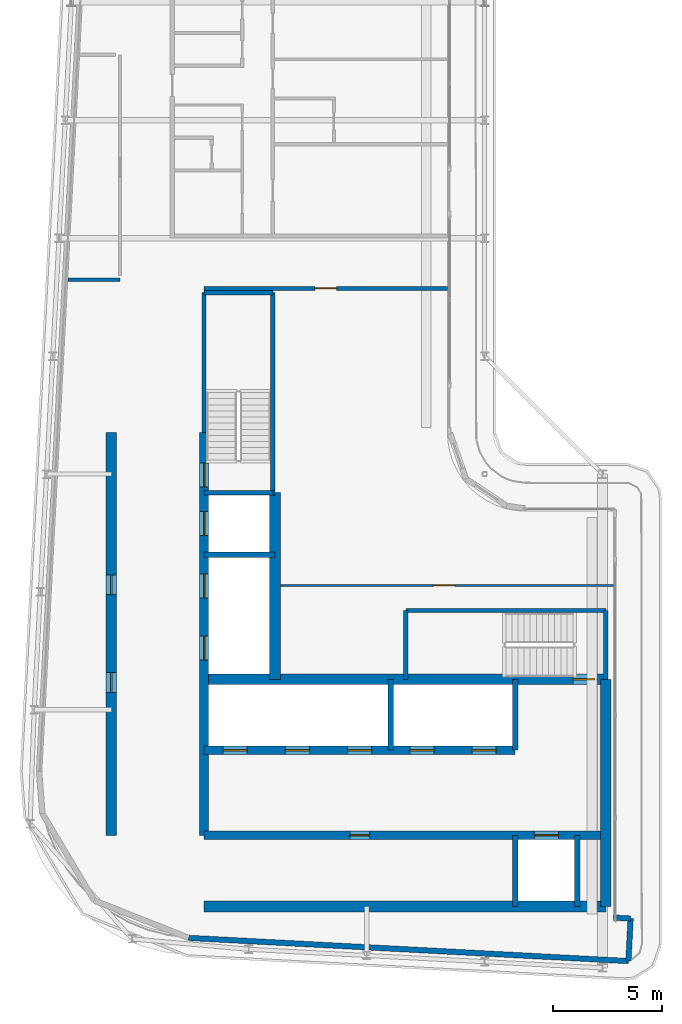
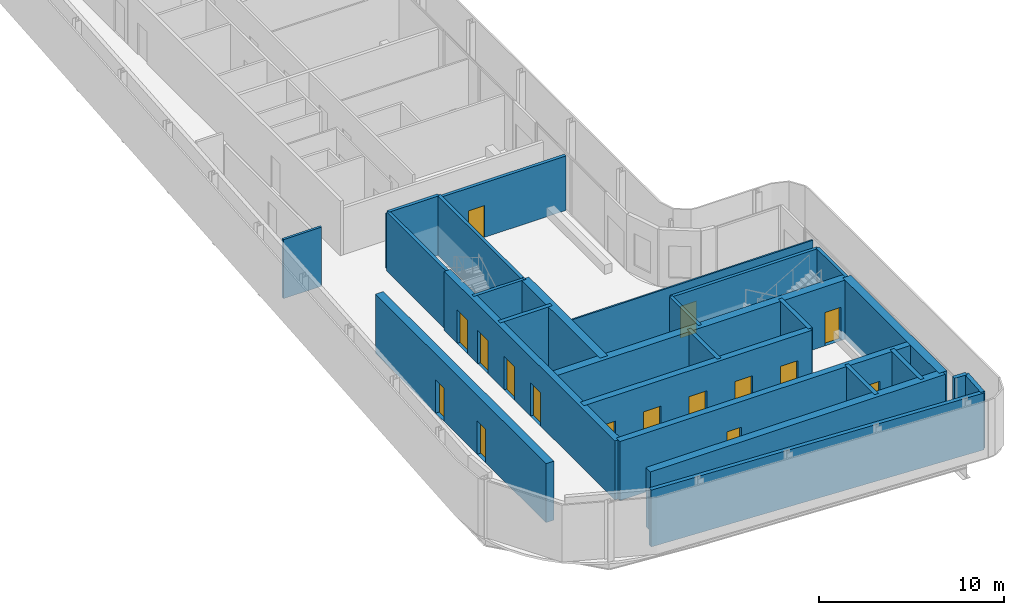
# One storey, part 9 of 17: 27 walls, 16 doors, 16 openings.
"""IFC4 building model written with IfcOpenShell, lengths in metres."""

from ifc_helpers import new_model, si_unit, direction, frame, frame_2d, origin, place, context, subcontext, project, spatial, rectangle, extrude, source, transform, mapped, material, layer, layer_set, type_object, element, fill, save


model = new_model("IFC4")

# Units and contexts
model_context = context("Model", 3, precision=1e-05, world=origin(), true_north=direction((0.0, 1.0)))
body_context = subcontext(model_context, "Body", "Model", "MODEL_VIEW")
ifc_project = project(units=[si_unit("LENGTHUNIT", "METRE"), si_unit("AREAUNIT", "SQUARE_METRE"), si_unit("VOLUMEUNIT", "CUBIC_METRE"), si_unit("PLANEANGLEUNIT", "RADIAN"), si_unit("MASSUNIT", "GRAM", prefix="KILO")], contexts=[model_context])

# Site, building, storey
site_placement = place(None, origin())
site = spatial("IfcSite", under=ifc_project, at=site_placement, CompositionType="ELEMENT")
building_placement = place(site_placement, origin())
building = spatial("IfcBuilding", under=site, at=building_placement, Name="Kheshtan School and Residences Tower", CompositionType="ELEMENT")
storey_placement = place(building_placement, frame((0.0, 0.0, 346.10009765625)))
storey = spatial("IfcBuildingStorey", under=building, at=storey_placement, Name="L81", CompositionType="ELEMENT", Elevation=346.10009765625)

# Wall, openings, doors
ifc_material_1 = material(Name="Concrete C50/60", Category="concrete")
ifc_layer_1 = layer(ifc_material_1, 0.39990234375)
ifc_layer_set_1 = layer_set([ifc_layer_1], Name="Core wall 400 Concrete C50/60")
wall_type_1 = type_object("IfcWallType", Name="Core wall 400 Concrete C50/60", PredefinedType="SHEAR", material=ifc_layer_set_1)
wall_1_placement = place(storey_placement, frame((34.75, 29.050048828125, 0.0), z_axis=(0.0, 0.0, 1.0), x_axis=(1.0, 0.0, 0.0)))
wall_1 = element("IfcWall", 1, at=wall_1_placement, inside=storey, type_object=wall_type_1, Name="Core wall CW-HALL-S1", PredefinedType="SHEAR", context=body_context, shape_type="SweptSolid", body=[
    extrude(rectangle(XDim=18.39990234375, YDim=0.39990234375, at=frame_2d((9.199951171875, 0.0))), origin(), (0.0, 0.0, 1.0), 3.89990234375),
])
opening_1_placement = place(wall_1_placement, frame((15.125, 0.0, 0.0)))
opening_1 = element("IfcOpeningElement", 2, at=opening_1_placement, cuts=wall_1, Name="Opening LD", PredefinedType="OPENING", context=body_context, shape_type="SweptSolid", body=[
    extrude(rectangle(XDim=1.10009765625, YDim=2.199951171875, at=frame_2d((0.550048828125, 1.10009765625))), frame((0.0, 0.2099609375, 0.0), z_axis=(0.0, -1.0, 0.0), x_axis=(1.0, 0.0, 0.0)), (0.0, 0.0, 1.0), 0.419921875),
])
opening_2_placement = place(wall_1_placement, frame((6.675048828125, 0.0, 0.0)))
opening_2 = element("IfcOpeningElement", 3, at=opening_2_placement, cuts=wall_1, Name="Opening SR90", PredefinedType="OPENING", context=body_context, shape_type="SweptSolid", body=[
    extrude(rectangle(XDim=0.89990234375, YDim=2.199951171875, at=frame_2d((0.449951171875, 1.10009765625))), frame((0.0, 0.2099609375, 0.0), z_axis=(0.0, -1.0, 0.0), x_axis=(1.0, 0.0, 0.0)), (0.0, 0.0, 1.0), 0.419921875),
])
ifc_material_2 = material(Name="Stainless steel door leaves", Category="steel")
door_type_1 = type_object("IfcDoorType", Name="Lift landing door 1100", OperationType="SLIDING_TO_LEFT", PredefinedType="DOOR", material=ifc_material_2)
shared_shape_1 = source(origin(), body_context, "Body", "SweptSolid", [
    extrude(rectangle(XDim=1.10009765625, YDim=2.199951171875, at=frame_2d((0.550048828125, 1.10009765625))), frame((0.0, 0.02490234375, 0.0), z_axis=(0.0, -1.0, 0.0), x_axis=(1.0, 0.0, 0.0)), (0.0, 0.0, 1.0), 0.050048828125),
])
door_1_placement = place(opening_1_placement, origin())
door_1 = element("IfcDoor", 4, at=door_1_placement, inside=storey, type_object=door_type_1, Name="Lift FFL2 landing door", OperationType="SLIDING_TO_LEFT", OverallHeight=2.199951171875, OverallWidth=1.10009765625, PredefinedType="DOOR", context=body_context, shape_type="MappedRepresentation", body=[
    mapped(shared_shape_1, transform((0.0, 0.0, 0.0), x_axis=(1.0, 0.0, 0.0), y_axis=(0.0, 1.0, 0.0), z_axis=(0.0, 0.0, 1.0), scale=1.0)),
])
fill(opening_1, door_1)
ifc_material_3 = material(Name="Steel door leaf, galvanised", Category="steel")
door_type_2 = type_object("IfcDoorType", Name="Service room door 900 steel 90 min", OperationType="SINGLE_SWING_LEFT", PredefinedType="DOOR", material=ifc_material_3)
shared_shape_2 = source(origin(), body_context, "Body", "SweptSolid", [
    extrude(rectangle(XDim=0.89990234375, YDim=2.199951171875, at=frame_2d((0.449951171875, 1.10009765625))), frame((0.0, 0.02490234375, 0.0), z_axis=(0.0, -1.0, 0.0), x_axis=(1.0, 0.0, 0.0)), (0.0, 0.0, 1.0), 0.050048828125),
])
door_2_placement = place(opening_2_placement, origin())
door_2 = element("IfcDoor", 5, at=door_2_placement, inside=storey, type_object=door_type_2, Name="Service room door", OperationType="SINGLE_SWING_RIGHT", OverallHeight=2.199951171875, OverallWidth=0.89990234375, PredefinedType="DOOR", context=body_context, shape_type="MappedRepresentation", body=[
    mapped(shared_shape_2, transform((0.0, 0.0, 0.0), x_axis=(1.0, 0.0, 0.0), y_axis=(0.0, 1.0, 0.0), z_axis=(0.0, 0.0, 1.0), scale=1.0)),
])
fill(opening_2, door_2)

wall_2_placement = place(storey_placement, frame((34.75, 32.949951171875, 0.0), z_axis=(0.0, 0.0, 1.0), x_axis=(1.0, 0.0, 0.0)))
wall_2 = element("IfcWall", 6, at=wall_2_placement, inside=storey, type_object=wall_type_1, Name="Core wall CW-HALL-S2", PredefinedType="SHEAR", context=body_context, shape_type="SweptSolid", body=[
    extrude(rectangle(XDim=14.25, YDim=0.39990234375, at=frame_2d((7.125, 0.0))), origin(), (0.0, 0.0, 1.0), 3.89990234375),
])
opening_3_placement = place(wall_2_placement, frame((0.875, 0.0, 0.0)))
opening_3 = element("IfcOpeningElement", 7, at=opening_3_placement, cuts=wall_2, Name="Opening LD", PredefinedType="OPENING", context=body_context, shape_type="SweptSolid", body=[
    extrude(rectangle(XDim=1.10009765625, YDim=2.199951171875, at=frame_2d((0.550048828125, 1.10009765625))), frame((0.0, 0.2099609375, 0.0), z_axis=(0.0, -1.0, 0.0), x_axis=(1.0, 0.0, 0.0)), (0.0, 0.0, 1.0), 0.419921875),
])
opening_4_placement = place(wall_2_placement, frame((3.72509765625, 0.0, 0.0)))
opening_4 = element("IfcOpeningElement", 8, at=opening_4_placement, cuts=wall_2, Name="Opening LD", PredefinedType="OPENING", context=body_context, shape_type="SweptSolid", body=[
    extrude(rectangle(XDim=1.10009765625, YDim=2.199951171875, at=frame_2d((0.550048828125, 1.10009765625))), frame((0.0, 0.2099609375, 0.0), z_axis=(0.0, -1.0, 0.0), x_axis=(1.0, 0.0, 0.0)), (0.0, 0.0, 1.0), 0.419921875),
])
opening_5_placement = place(wall_2_placement, frame((6.574951171875, 0.0, 0.0)))
opening_5 = element("IfcOpeningElement", 9, at=opening_5_placement, cuts=wall_2, Name="Opening LD", PredefinedType="OPENING", context=body_context, shape_type="SweptSolid", body=[
    extrude(rectangle(XDim=1.10009765625, YDim=2.199951171875, at=frame_2d((0.550048828125, 1.10009765625))), frame((0.0, 0.2099609375, 0.0), z_axis=(0.0, -1.0, 0.0), x_axis=(1.0, 0.0, 0.0)), (0.0, 0.0, 1.0), 0.419921875),
])
opening_6_placement = place(wall_2_placement, frame((9.425048828125, 0.0, 0.0)))
opening_6 = element("IfcOpeningElement", 10, at=opening_6_placement, cuts=wall_2, Name="Opening LD", PredefinedType="OPENING", context=body_context, shape_type="SweptSolid", body=[
    extrude(rectangle(XDim=1.10009765625, YDim=2.199951171875, at=frame_2d((0.550048828125, 1.10009765625))), frame((0.0, 0.2099609375, 0.0), z_axis=(0.0, -1.0, 0.0), x_axis=(1.0, 0.0, 0.0)), (0.0, 0.0, 1.0), 0.419921875),
])
opening_7_placement = place(wall_2_placement, frame((12.27490234375, 0.0, 0.0)))
opening_7 = element("IfcOpeningElement", 11, at=opening_7_placement, cuts=wall_2, Name="Opening LD", PredefinedType="OPENING", context=body_context, shape_type="SweptSolid", body=[
    extrude(rectangle(XDim=1.10009765625, YDim=2.199951171875, at=frame_2d((0.550048828125, 1.10009765625))), frame((0.0, 0.2099609375, 0.0), z_axis=(0.0, -1.0, 0.0), x_axis=(1.0, 0.0, 0.0)), (0.0, 0.0, 1.0), 0.419921875),
])
door_3_placement = place(opening_3_placement, origin())
door_3 = element("IfcDoor", 12, at=door_3_placement, inside=storey, type_object=door_type_1, Name="Lift P12 landing door", OperationType="SLIDING_TO_LEFT", OverallHeight=2.199951171875, OverallWidth=1.10009765625, PredefinedType="DOOR", context=body_context, shape_type="MappedRepresentation", body=[
    mapped(shared_shape_1, transform((0.0, 0.0, 0.0), x_axis=(1.0, 0.0, 0.0), y_axis=(0.0, 1.0, 0.0), z_axis=(0.0, 0.0, 1.0), scale=1.0)),
])
fill(opening_3, door_3)
door_4_placement = place(opening_4_placement, origin())
door_4 = element("IfcDoor", 13, at=door_4_placement, inside=storey, type_object=door_type_1, Name="Lift P13 landing door", OperationType="SLIDING_TO_LEFT", OverallHeight=2.199951171875, OverallWidth=1.10009765625, PredefinedType="DOOR", context=body_context, shape_type="MappedRepresentation", body=[
    mapped(shared_shape_1, transform((0.0, 0.0, 0.0), x_axis=(1.0, 0.0, 0.0), y_axis=(0.0, 1.0, 0.0), z_axis=(0.0, 0.0, 1.0), scale=1.0)),
])
fill(opening_4, door_4)
door_5_placement = place(opening_5_placement, origin())
door_5 = element("IfcDoor", 14, at=door_5_placement, inside=storey, type_object=door_type_1, Name="Lift P14 landing door", OperationType="SLIDING_TO_LEFT", OverallHeight=2.199951171875, OverallWidth=1.10009765625, PredefinedType="DOOR", context=body_context, shape_type="MappedRepresentation", body=[
    mapped(shared_shape_1, transform((0.0, 0.0, 0.0), x_axis=(1.0, 0.0, 0.0), y_axis=(0.0, 1.0, 0.0), z_axis=(0.0, 0.0, 1.0), scale=1.0)),
])
fill(opening_5, door_5)
door_6_placement = place(opening_6_placement, origin())
door_6 = element("IfcDoor", 15, at=door_6_placement, inside=storey, type_object=door_type_1, Name="Lift P15 landing door", OperationType="SLIDING_TO_LEFT", OverallHeight=2.199951171875, OverallWidth=1.10009765625, PredefinedType="DOOR", context=body_context, shape_type="MappedRepresentation", body=[
    mapped(shared_shape_1, transform((0.0, 0.0, 0.0), x_axis=(1.0, 0.0, 0.0), y_axis=(0.0, 1.0, 0.0), z_axis=(0.0, 0.0, 1.0), scale=1.0)),
])
fill(opening_6, door_6)
door_7_placement = place(opening_7_placement, origin())
door_7 = element("IfcDoor", 16, at=door_7_placement, inside=storey, type_object=door_type_1, Name="Lift P16 landing door", OperationType="SLIDING_TO_LEFT", OverallHeight=2.199951171875, OverallWidth=1.10009765625, PredefinedType="DOOR", context=body_context, shape_type="MappedRepresentation", body=[
    mapped(shared_shape_1, transform((0.0, 0.0, 0.0), x_axis=(1.0, 0.0, 0.0), y_axis=(0.0, 1.0, 0.0), z_axis=(0.0, 0.0, 1.0), scale=1.0)),
])
fill(opening_7, door_7)

wall_3_placement = place(storey_placement, frame((34.75, 29.050048828125, 0.0), z_axis=(0.0, 0.0, 1.0), x_axis=(0.0, 1.0, 0.0)))
wall_3 = element("IfcWall", 17, at=wall_3_placement, inside=storey, type_object=wall_type_1, Name="Core wall CW-HALL-W1", PredefinedType="SHEAR", context=body_context, shape_type="SweptSolid", body=[
    extrude(rectangle(XDim=18.449951171875, YDim=0.39990234375, at=frame_2d((9.22509765625, 0.0))), origin(), (0.0, 0.0, 1.0), 3.89990234375),
])
opening_8_placement = place(wall_3_placement, frame((8.02490234375, 0.0, 0.0)))
opening_8 = element("IfcOpeningElement", 18, at=opening_8_placement, cuts=wall_3, Name="Opening LD", PredefinedType="OPENING", context=body_context, shape_type="SweptSolid", body=[
    extrude(rectangle(XDim=1.10009765625, YDim=2.199951171875, at=frame_2d((0.550048828125, 1.10009765625))), frame((0.0, 0.2099609375, 0.0), z_axis=(0.0, -1.0, 0.0), x_axis=(1.0, 0.0, 0.0)), (0.0, 0.0, 1.0), 0.419921875),
])
opening_9_placement = place(wall_3_placement, frame((10.875, 0.0, 0.0)))
opening_9 = element("IfcOpeningElement", 19, at=opening_9_placement, cuts=wall_3, Name="Opening LD", PredefinedType="OPENING", context=body_context, shape_type="SweptSolid", body=[
    extrude(rectangle(XDim=1.10009765625, YDim=2.199951171875, at=frame_2d((0.550048828125, 1.10009765625))), frame((0.0, 0.2099609375, 0.0), z_axis=(0.0, -1.0, 0.0), x_axis=(1.0, 0.0, 0.0)), (0.0, 0.0, 1.0), 0.419921875),
])
opening_10_placement = place(wall_3_placement, frame((13.72509765625, 0.0, 0.0)))
opening_10 = element("IfcOpeningElement", 20, at=opening_10_placement, cuts=wall_3, Name="Opening LD", PredefinedType="OPENING", context=body_context, shape_type="SweptSolid", body=[
    extrude(rectangle(XDim=1.10009765625, YDim=2.199951171875, at=frame_2d((0.550048828125, 1.10009765625))), frame((0.0, 0.2099609375, 0.0), z_axis=(0.0, -1.0, 0.0), x_axis=(1.0, 0.0, 0.0)), (0.0, 0.0, 1.0), 0.419921875),
])
opening_11_placement = place(wall_3_placement, frame((15.949951171875, 0.0, 0.0)))
opening_11 = element("IfcOpeningElement", 21, at=opening_11_placement, cuts=wall_3, Name="Opening ST2D", PredefinedType="OPENING", context=body_context, shape_type="SweptSolid", body=[
    extrude(rectangle(XDim=1.10009765625, YDim=2.199951171875, at=frame_2d((0.550048828125, 1.10009765625))), frame((0.0, 0.2099609375, 0.0), z_axis=(0.0, -1.0, 0.0), x_axis=(1.0, 0.0, 0.0)), (0.0, 0.0, 1.0), 0.419921875),
])
door_8_placement = place(opening_8_placement, origin())
door_8 = element("IfcDoor", 22, at=door_8_placement, inside=storey, type_object=door_type_1, Name="Lift SV1 landing door", OperationType="SLIDING_TO_LEFT", OverallHeight=2.199951171875, OverallWidth=1.10009765625, PredefinedType="DOOR", context=body_context, shape_type="MappedRepresentation", body=[
    mapped(shared_shape_1, transform((0.0, 0.0, 0.0), x_axis=(1.0, 0.0, 0.0), y_axis=(0.0, 1.0, 0.0), z_axis=(0.0, 0.0, 1.0), scale=1.0)),
])
fill(opening_8, door_8)
door_9_placement = place(opening_9_placement, origin())
door_9 = element("IfcDoor", 23, at=door_9_placement, inside=storey, type_object=door_type_1, Name="Lift SV2 landing door", OperationType="SLIDING_TO_LEFT", OverallHeight=2.199951171875, OverallWidth=1.10009765625, PredefinedType="DOOR", context=body_context, shape_type="MappedRepresentation", body=[
    mapped(shared_shape_1, transform((0.0, 0.0, 0.0), x_axis=(1.0, 0.0, 0.0), y_axis=(0.0, 1.0, 0.0), z_axis=(0.0, 0.0, 1.0), scale=1.0)),
])
fill(opening_9, door_9)
door_10_placement = place(opening_10_placement, origin())
door_10 = element("IfcDoor", 24, at=door_10_placement, inside=storey, type_object=door_type_1, Name="Lift FFL1 landing door", OperationType="SLIDING_TO_LEFT", OverallHeight=2.199951171875, OverallWidth=1.10009765625, PredefinedType="DOOR", context=body_context, shape_type="MappedRepresentation", body=[
    mapped(shared_shape_1, transform((0.0, 0.0, 0.0), x_axis=(1.0, 0.0, 0.0), y_axis=(0.0, 1.0, 0.0), z_axis=(0.0, 0.0, 1.0), scale=1.0)),
])
fill(opening_10, door_10)
door_type_3 = type_object("IfcDoorType", Name="Stair door 1100 steel 90 min", OperationType="SINGLE_SWING_LEFT", PredefinedType="DOOR", material=ifc_material_3)
shared_shape_3 = source(origin(), body_context, "Body", "SweptSolid", [
    extrude(rectangle(XDim=1.10009765625, YDim=2.199951171875, at=frame_2d((0.550048828125, 1.10009765625))), frame((0.0, 0.02490234375, 0.0), z_axis=(0.0, -1.0, 0.0), x_axis=(1.0, 0.0, 0.0)), (0.0, 0.0, 1.0), 0.050048828125),
])
door_11_placement = place(opening_11_placement, origin())
door_11 = element("IfcDoor", 25, at=door_11_placement, inside=storey, type_object=door_type_3, Name="Stair ST2 door", OperationType="SINGLE_SWING_RIGHT", OverallHeight=2.199951171875, OverallWidth=1.10009765625, PredefinedType="DOOR", context=body_context, shape_type="MappedRepresentation", body=[
    mapped(shared_shape_3, transform((0.0, 0.0, 0.0), x_axis=(1.0, 0.0, 0.0), y_axis=(0.0, 1.0, 0.0), z_axis=(0.0, 0.0, 1.0), scale=1.0)),
])
fill(opening_11, door_11)

# Wall
ifc_layer_2 = layer(ifc_material_1, 0.5)
ifc_layer_set_2 = layer_set([ifc_layer_2], Name="Core wall 500 Concrete C50/60")
wall_type_2 = type_object("IfcWallType", Name="Core wall 500 Concrete C50/60", PredefinedType="SHEAR", material=ifc_layer_set_2)
wall_4_placement = place(storey_placement, frame((34.75, 25.800048828125, 0.0), z_axis=(0.0, 0.0, 1.0), x_axis=(1.0, 0.0, 0.0)))
element("IfcWall", 26, at=wall_4_placement, inside=storey, type_object=wall_type_2, Name="Core wall CW-REAR-S", PredefinedType="SHEAR", context=body_context, shape_type="SweptSolid", body=[
    extrude(rectangle(XDim=18.39990234375, YDim=0.5, at=frame_2d((9.199951171875, 0.0))), origin(), (0.0, 0.0, 1.0), 3.89990234375),
])

# Wall, opening, door
wall_5_placement = place(storey_placement, frame((34.75, 36.199951171875, 0.0), z_axis=(0.0, 0.0, 1.0), x_axis=(1.0, 0.0, 0.0)))
wall_5 = element("IfcWall", 27, at=wall_5_placement, inside=storey, type_object=wall_type_2, Name="Core wall CW-FRONT-S", PredefinedType="SHEAR", context=body_context, shape_type="SweptSolid", body=[
    extrude(rectangle(XDim=18.39990234375, YDim=0.5, at=frame_2d((9.199951171875, 0.0))), origin(), (0.0, 0.0, 1.0), 3.89990234375),
])
opening_12_placement = place(wall_5_placement, frame((16.89990234375, 0.0, 0.0)))
opening_12 = element("IfcOpeningElement", 28, at=opening_12_placement, cuts=wall_5, Name="Opening ST1D", PredefinedType="OPENING", context=body_context, shape_type="SweptSolid", body=[
    extrude(rectangle(XDim=1.0, YDim=2.199951171875, at=frame_2d((0.5, 1.10009765625))), frame((0.0, 0.260009765625, 0.0), z_axis=(0.0, -1.0, 0.0), x_axis=(1.0, 0.0, 0.0)), (0.0, 0.0, 1.0), 0.52001953125),
])
shared_shape_4 = source(origin(), body_context, "Body", "SweptSolid", [
    extrude(rectangle(XDim=1.0, YDim=2.199951171875, at=frame_2d((0.5, 1.10009765625))), frame((0.0, 0.02490234375, 0.0), z_axis=(0.0, -1.0, 0.0), x_axis=(1.0, 0.0, 0.0)), (0.0, 0.0, 1.0), 0.050048828125),
])
door_12_placement = place(opening_12_placement, origin())
door_12 = element("IfcDoor", 29, at=door_12_placement, inside=storey, type_object=door_type_3, Name="Stair ST1 door", OperationType="SINGLE_SWING_RIGHT", OverallHeight=2.199951171875, OverallWidth=1.0, PredefinedType="DOOR", context=body_context, shape_type="MappedRepresentation", body=[
    mapped(shared_shape_4, transform((0.0, 0.0, 0.0), x_axis=(1.0, 0.0, 0.0), y_axis=(0.0, 1.0, 0.0), z_axis=(0.0, 0.0, 1.0), scale=1.0)),
])
fill(opening_12, door_12)

# Wall
wall_6_placement = place(storey_placement, frame((38.0, 36.199951171875, 0.0), z_axis=(0.0, 0.0, 1.0), x_axis=(0.0, 1.0, 0.0)))
element("IfcWall", 30, at=wall_6_placement, inside=storey, type_object=wall_type_2, Name="Core wall CW-FRONT-W", PredefinedType="SHEAR", context=body_context, shape_type="SweptSolid", body=[
    extrude(rectangle(XDim=8.550048828125, YDim=0.5, at=frame_2d((4.27490234375, 0.0))), origin(), (0.0, 0.0, 1.0), 3.89990234375),
])

# Wall, openings, doors
wall_7_placement = place(storey_placement, frame((30.5, 29.050048828125, 0.0), z_axis=(0.0, 0.0, 1.0), x_axis=(0.0, 1.0, 0.0)))
wall_7 = element("IfcWall", 31, at=wall_7_placement, inside=storey, type_object=wall_type_2, Name="Core wall CW-REAR-W", PredefinedType="SHEAR", context=body_context, shape_type="SweptSolid", body=[
    extrude(rectangle(XDim=18.449951171875, YDim=0.5, at=frame_2d((9.22509765625, 0.0))), origin(), (0.0, 0.0, 1.0), 3.89990234375),
])
opening_13_placement = place(wall_7_placement, frame((6.550048828125, 0.0, 0.0)))
opening_13 = element("IfcOpeningElement", 32, at=opening_13_placement, cuts=wall_7, Name="Opening SR90", PredefinedType="OPENING", context=body_context, shape_type="SweptSolid", body=[
    extrude(rectangle(XDim=0.89990234375, YDim=2.199951171875, at=frame_2d((0.449951171875, 1.10009765625))), frame((0.0, 0.260009765625, 0.0), z_axis=(0.0, -1.0, 0.0), x_axis=(1.0, 0.0, 0.0)), (0.0, 0.0, 1.0), 0.52001953125),
])
opening_14_placement = place(wall_7_placement, frame((11.02490234375, 0.0, 0.0)))
opening_14 = element("IfcOpeningElement", 33, at=opening_14_placement, cuts=wall_7, Name="Opening SR90", PredefinedType="OPENING", context=body_context, shape_type="SweptSolid", body=[
    extrude(rectangle(XDim=0.89990234375, YDim=2.199951171875, at=frame_2d((0.449951171875, 1.10009765625))), frame((0.0, 0.260009765625, 0.0), z_axis=(0.0, -1.0, 0.0), x_axis=(1.0, 0.0, 0.0)), (0.0, 0.0, 1.0), 0.52001953125),
])
door_13_placement = place(opening_13_placement, origin())
door_13 = element("IfcDoor", 34, at=door_13_placement, inside=storey, type_object=door_type_2, Name="Service room door", OperationType="SINGLE_SWING_RIGHT", OverallHeight=2.199951171875, OverallWidth=0.89990234375, PredefinedType="DOOR", context=body_context, shape_type="MappedRepresentation", body=[
    mapped(shared_shape_2, transform((0.0, 0.0, 0.0), x_axis=(1.0, 0.0, 0.0), y_axis=(0.0, 1.0, 0.0), z_axis=(0.0, 0.0, 1.0), scale=1.0)),
])
fill(opening_13, door_13)
door_14_placement = place(opening_14_placement, origin())
door_14 = element("IfcDoor", 35, at=door_14_placement, inside=storey, type_object=door_type_2, Name="Service room door", OperationType="SINGLE_SWING_RIGHT", OverallHeight=2.199951171875, OverallWidth=0.89990234375, PredefinedType="DOOR", context=body_context, shape_type="MappedRepresentation", body=[
    mapped(shared_shape_2, transform((0.0, 0.0, 0.0), x_axis=(1.0, 0.0, 0.0), y_axis=(0.0, 1.0, 0.0), z_axis=(0.0, 0.0, 1.0), scale=1.0)),
])
fill(opening_14, door_14)

# Wall
wall_8_placement = place(storey_placement, frame((53.14990234375, 25.800048828125, 0.0), z_axis=(0.0, 0.0, 1.0), x_axis=(0.0, 1.0, 0.0)))
element("IfcWall", 36, at=wall_8_placement, inside=storey, type_object=wall_type_2, Name="Core wall CW-EAST", PredefinedType="SHEAR", context=body_context, shape_type="SweptSolid", body=[
    extrude(rectangle(XDim=10.39990234375, YDim=0.5, at=frame_2d((5.199951171875, 0.0))), origin(), (0.0, 0.0, 1.0), 3.89990234375),
])

# Wall, opening, door
ifc_material_4 = material(Name="Gypsum board on steel studs with fire boards", Category="steel")
ifc_layer_3 = layer(ifc_material_4, 0.199951171875)
ifc_layer_set_3 = layer_set([ifc_layer_3], Name="Corridor wall 200")
wall_type_3 = type_object("IfcWallType", Name="Corridor wall 200", PredefinedType="PARTITIONING", material=ifc_layer_set_3)
wall_9_placement = place(storey_placement, frame((34.75, 54.10009765625, 0.0), z_axis=(0.0, 0.0, 1.0), x_axis=(1.0, 0.0, 0.0)))
wall_9 = element("IfcWall", 37, at=wall_9_placement, inside=storey, type_object=wall_type_3, Name="Partition L81-013", PredefinedType="PARTITIONING", context=body_context, shape_type="SweptSolid", body=[
    extrude(rectangle(XDim=11.14990234375, YDim=0.199951171875, at=frame_2d((5.574951171875, 0.0))), origin(), (0.0, 0.0, 1.0), 3.599853515625),
])
opening_15_placement = place(wall_9_placement, frame((5.074951171875, 0.0, 0.0)))
opening_15 = element("IfcOpeningElement", 38, at=opening_15_placement, cuts=wall_9, Name="Opening D81-023", PredefinedType="OPENING", context=body_context, shape_type="SweptSolid", body=[
    extrude(rectangle(XDim=1.0, YDim=2.10009765625, at=frame_2d((0.5, 1.050048828125))), frame((0.0, 0.10986328125, 0.0), z_axis=(0.0, -1.0, 0.0), x_axis=(1.0, 0.0, 0.0)), (0.0, 0.0, 1.0), 0.219970703125),
])
ifc_material_5 = material(Name="Steel-framed fire-resisting door leaf", Category="steel")
door_type_4 = type_object("IfcDoorType", Name="Fire door FD60 1000 x 2100", OperationType="SINGLE_SWING_LEFT", PredefinedType="DOOR", material=ifc_material_5)
shared_shape_5 = source(origin(), body_context, "Body", "SweptSolid", [
    extrude(rectangle(XDim=1.0, YDim=2.10009765625, at=frame_2d((0.5, 1.050048828125))), frame((0.0, 0.02490234375, 0.0), z_axis=(0.0, -1.0, 0.0), x_axis=(1.0, 0.0, 0.0)), (0.0, 0.0, 1.0), 0.050048828125),
])
door_15_placement = place(opening_15_placement, origin())
door_15 = element("IfcDoor", 39, at=door_15_placement, inside=storey, type_object=door_type_4, Name="Door D81-023", OperationType="SINGLE_SWING_RIGHT", OverallHeight=2.10009765625, OverallWidth=1.0, PredefinedType="DOOR", context=body_context, shape_type="MappedRepresentation", body=[
    mapped(shared_shape_5, transform((0.0, 0.0, 0.0), x_axis=(1.0, 0.0, 0.0), y_axis=(0.0, 1.0, 0.0), z_axis=(0.0, 0.0, 1.0), scale=1.0)),
])
fill(opening_15, door_15)

# Walls
ifc_material_6 = material(Name="Concrete C40/50 with ceramic cladding and mineral wool insulation", Category="concrete")
ifc_layer_4 = layer(ifc_material_6, 0.25)
ifc_layer_set_4 = layer_set([ifc_layer_4], Name="External wall 250 ceramic clad")
wall_type_4 = type_object("IfcWallType", Name="External wall 250 ceramic clad", PredefinedType="SOLIDWALL", material=ifc_layer_set_4)
wall_10_placement = place(storey_placement, frame((53.507080078125, 25.281005859375, 0.0), z_axis=(0.0, 0.0, 1.0), x_axis=(0.998561284263, -0.053622398031, 0.0)))
element("IfcWall", 40, at=wall_10_placement, inside=storey, type_object=wall_type_4, Name="External wall L81 10", PredefinedType="SOLIDWALL", context=body_context, shape_type="SweptSolid", body=[
    extrude(rectangle(XDim=0.783203125, YDim=0.25, at=frame_2d((0.3916015625, 0.0))), origin(), (0.0, 0.0, 1.0), 3.75),
])
wall_11_placement = place(storey_placement, frame((54.2890625, 25.239013671875, 0.0), z_axis=(0.0, 0.0, 1.0), x_axis=(-0.052841433274, -0.998602915542, 0.0)))
element("IfcWall", 41, at=wall_11_placement, inside=storey, type_object=wall_type_4, Name="External wall L81 11", PredefinedType="SOLIDWALL", context=body_context, shape_type="SweptSolid", body=[
    extrude(rectangle(XDim=1.94970703125, YDim=0.25, at=frame_2d((0.974853515625, 0.0))), origin(), (0.0, 0.0, 1.0), 3.75),
])
wall_12_placement = place(storey_placement, frame((54.18603515625, 23.2919921875, 0.0), z_axis=(0.0, 0.0, 1.0), x_axis=(-0.998616090491, 0.052591860707, 0.0)))
element("IfcWall", 42, at=wall_12_placement, inside=storey, type_object=wall_type_4, Name="External wall L81 12", PredefinedType="SOLIDWALL", context=body_context, shape_type="SweptSolid", body=[
    extrude(rectangle(XDim=20.1748046875, YDim=0.25, at=frame_2d((10.08740234375, 0.0))), origin(), (0.0, 0.0, 1.0), 3.75),
])

# Wall, opening, door
ifc_material_7 = material(Name="Gypsum board on steel studs", Category="steel")
ifc_layer_5 = layer(ifc_material_7, 0.10009765625)
ifc_layer_set_5 = layer_set([ifc_layer_5], Name="Gypsum partition 100")
wall_type_5 = type_object("IfcWallType", Name="Gypsum partition 100", PredefinedType="PARTITIONING", material=ifc_layer_set_5)
wall_13_placement = place(storey_placement, frame((38.2490234375, 40.5, 0.0), z_axis=(0.0, 0.0, 1.0), x_axis=(1.0, 0.0, 0.0)))
wall_13 = element("IfcWall", 43, at=wall_13_placement, inside=storey, type_object=wall_type_5, Name="Partition L81-028", PredefinedType="PARTITIONING", context=body_context, shape_type="SweptSolid", body=[
    extrude(rectangle(XDim=15.2509765625, YDim=0.10009765625, at=frame_2d((7.62548828125, 0.0))), origin(), (0.0, 0.0, 1.0), 3.599853515625),
])
opening_16_placement = place(wall_13_placement, frame((7.0009765625, 0.0, 0.0)))
opening_16 = element("IfcOpeningElement", 44, at=opening_16_placement, cuts=wall_13, Name="Opening D81-022", PredefinedType="OPENING", context=body_context, shape_type="SweptSolid", body=[
    extrude(rectangle(XDim=1.0, YDim=2.10009765625, at=frame_2d((0.5, 1.050048828125))), frame((0.0, 0.06005859375, 0.0), z_axis=(0.0, -1.0, 0.0), x_axis=(1.0, 0.0, 0.0)), (0.0, 0.0, 1.0), 0.1201171875),
])
ifc_material_8 = material(Name="Veneered timber door leaf", Category="wood")
door_type_5 = type_object("IfcDoorType", Name="Door 1000 x 2100", OperationType="SINGLE_SWING_LEFT", PredefinedType="DOOR", material=ifc_material_8)
shared_shape_6 = source(origin(), body_context, "Body", "SweptSolid", [
    extrude(rectangle(XDim=1.0, YDim=2.10009765625, at=frame_2d((0.5, 1.050048828125))), frame((0.0, 0.02490234375, 0.0), z_axis=(0.0, -1.0, 0.0), x_axis=(1.0, 0.0, 0.0)), (0.0, 0.0, 1.0), 0.050048828125),
])
door_16_placement = place(opening_16_placement, origin())
door_16 = element("IfcDoor", 45, at=door_16_placement, inside=storey, type_object=door_type_5, Name="Door D81-022", OperationType="SINGLE_SWING_LEFT", OverallHeight=2.10009765625, OverallWidth=1.0, PredefinedType="DOOR", context=body_context, shape_type="MappedRepresentation", body=[
    mapped(shared_shape_6, transform((0.0, 0.0, 0.0), x_axis=(1.0, 0.0, 0.0), y_axis=(0.0, 1.0, 0.0), z_axis=(0.0, 0.0, 1.0), scale=1.0)),
])
fill(opening_16, door_16)

# Walls
ifc_material_9 = material(Name="Fire-board shaft wall system")
ifc_layer_6 = layer(ifc_material_9, 0.14990234375)
ifc_layer_set_6 = layer_set([ifc_layer_6], Name="Service room wall 150")
wall_type_6 = type_object("IfcWallType", Name="Service room wall 150", PredefinedType="PARTITIONING", material=ifc_layer_set_6)
wall_14_placement = place(storey_placement, frame((28.509033203125, 54.5, 0.0), z_axis=(0.0, 0.0, 1.0), x_axis=(1.0, 0.0, 0.0)))
element("IfcWall", 46, at=wall_14_placement, inside=storey, type_object=wall_type_6, Name="Service room wall", PredefinedType="PARTITIONING", context=body_context, shape_type="SweptSolid", body=[
    extrude(rectangle(XDim=2.390869140625, YDim=0.14990234375, at=frame_2d((1.1953125, 0.0))), origin(), (0.0, 0.0, 1.0), 3.89990234375),
])
ifc_layer_7 = layer(ifc_material_9, 0.25)
ifc_layer_set_7 = layer_set([ifc_layer_7], Name="Shaft lining wall 250")
wall_type_7 = type_object("IfcWallType", Name="Shaft lining wall 250", PredefinedType="PARTITIONING", material=ifc_layer_set_7)
for number, where, z_axis, x_axis, name in (
    (47, (43.300048828125, 32.949951171875, 0.0), (0.0, 0.0, 1.0), (0.0, 1.0, 0.0), "Shaft lining wall"),
    (48, (49.0, 25.800048828125, 0.0), (0.0, 0.0, 1.0), (0.0, 1.0, 0.0), "Shaft lining wall"),
    (49, (49.0, 32.949951171875, 0.0), (0.0, 0.0, 1.0), (0.0, 1.0, 0.0), "Shaft lining wall"),
    (50, (51.85009765625, 25.800048828125, 0.0), (0.0, 0.0, 1.0), (0.0, 1.0, 0.0), "Shaft lining wall"),
    (51, (34.75, 41.89990234375, 0.0), (0.0, 0.0, 1.0), (1.0, 0.0, 0.0), "Shaft lining wall"),
):
    element("IfcWall", number, at=place(storey_placement, frame(where, z_axis=z_axis, x_axis=x_axis)), inside=storey, type_object=wall_type_7, Name=name, PredefinedType="PARTITIONING", context=body_context, shape_type="SweptSolid", body=[
        extrude(rectangle(XDim=3.25, YDim=0.25, at=frame_2d((1.625, 0.0))), origin(), (0.0, 0.0, 1.0), 3.89990234375),
    ])
wall_15_placement = place(storey_placement, frame((37.89990234375, 44.75, 0.0), z_axis=(0.0, 0.0, 1.0), x_axis=(1.0, 0.0, 0.0)))
element("IfcWall", 52, at=wall_15_placement, inside=storey, type_object=wall_type_7, Name="Shaft lining wall", PredefinedType="PARTITIONING", context=body_context, shape_type="SweptSolid", body=[
    extrude(rectangle(XDim=0.10009765625, YDim=0.25, at=frame_2d((0.050048828125, 0.0))), origin(), (0.0, 0.0, 1.0), 3.89990234375),
])
ifc_material_10 = material(Name="Concrete C40/50", Category="concrete")
ifc_layer_8 = layer(ifc_material_10, 0.199951171875)
ifc_layer_set_8 = layer_set([ifc_layer_8], Name="Stair enclosure wall 200 Concrete C40/50")
wall_type_8 = type_object("IfcWallType", Name="Stair enclosure wall 200 Concrete C40/50", PredefinedType="SHEAR", material=ifc_layer_set_8)
wall_16_placement = place(storey_placement, frame((43.989990234375, 39.35009765625, 0.0), z_axis=(0.0, 0.0, 1.0), x_axis=(1.0, 0.0, 0.0)))
element("IfcWall", 53, at=wall_16_placement, inside=storey, type_object=wall_type_8, Name="Stair enclosure wall ST1", PredefinedType="SHEAR", context=body_context, shape_type="SweptSolid", body=[
    extrude(rectangle(XDim=9.159912109375, YDim=0.199951171875, at=frame_2d((4.580078125, 0.0))), origin(), (0.0, 0.0, 1.0), 3.89990234375),
])
for number, where, z_axis, x_axis, name in (
    (54, (43.989990234375, 36.199951171875, 0.0), (0.0, 0.0, 1.0), (0.0, 1.0, 0.0), "Stair enclosure wall ST1"),
    (55, (53.14990234375, 36.199951171875, 0.0), (0.0, 0.0, 1.0), (0.0, 1.0, 0.0), "Stair enclosure wall ST1"),
):
    element("IfcWall", number, at=place(storey_placement, frame(where, z_axis=z_axis, x_axis=x_axis)), inside=storey, type_object=wall_type_8, Name=name, PredefinedType="SHEAR", context=body_context, shape_type="SweptSolid", body=[
        extrude(rectangle(XDim=3.150146484375, YDim=0.199951171875, at=frame_2d((1.5751953125, 0.0))), origin(), (0.0, 0.0, 1.0), 3.89990234375),
    ])
for number, where, z_axis, x_axis, name in (
    (56, (34.75, 44.75, 0.0), (0.0, 0.0, 1.0), (1.0, 0.0, 0.0), "Stair enclosure wall ST2"),
    (57, (34.75, 53.909912109375, 0.0), (0.0, 0.0, 1.0), (1.0, 0.0, 0.0), "Stair enclosure wall ST2"),
):
    element("IfcWall", number, at=place(storey_placement, frame(where, z_axis=z_axis, x_axis=x_axis)), inside=storey, type_object=wall_type_8, Name=name, PredefinedType="SHEAR", context=body_context, shape_type="SweptSolid", body=[
        extrude(rectangle(XDim=3.14990234375, YDim=0.199951171875, at=frame_2d((1.574951171875, 0.0))), origin(), (0.0, 0.0, 1.0), 3.89990234375),
    ])
wall_17_placement = place(storey_placement, frame((34.75, 47.5, 0.0), z_axis=(0.0, 0.0, 1.0), x_axis=(0.0, 1.0, 0.0)))
element("IfcWall", 58, at=wall_17_placement, inside=storey, type_object=wall_type_8, Name="Stair enclosure wall ST2", PredefinedType="SHEAR", context=body_context, shape_type="SweptSolid", body=[
    extrude(rectangle(XDim=6.409912109375, YDim=0.199951171875, at=frame_2d((3.205078125, 0.0))), origin(), (0.0, 0.0, 1.0), 3.89990234375),
])
wall_18_placement = place(storey_placement, frame((37.89990234375, 44.75, 0.0), z_axis=(0.0, 0.0, 1.0), x_axis=(0.0, 1.0, 0.0)))
element("IfcWall", 59, at=wall_18_placement, inside=storey, type_object=wall_type_8, Name="Stair enclosure wall ST2", PredefinedType="SHEAR", context=body_context, shape_type="SweptSolid", body=[
    extrude(rectangle(XDim=9.159912109375, YDim=0.199951171875, at=frame_2d((4.580078125, 0.0))), origin(), (0.0, 0.0, 1.0), 3.89990234375),
])

save(model, "model.ifc")
